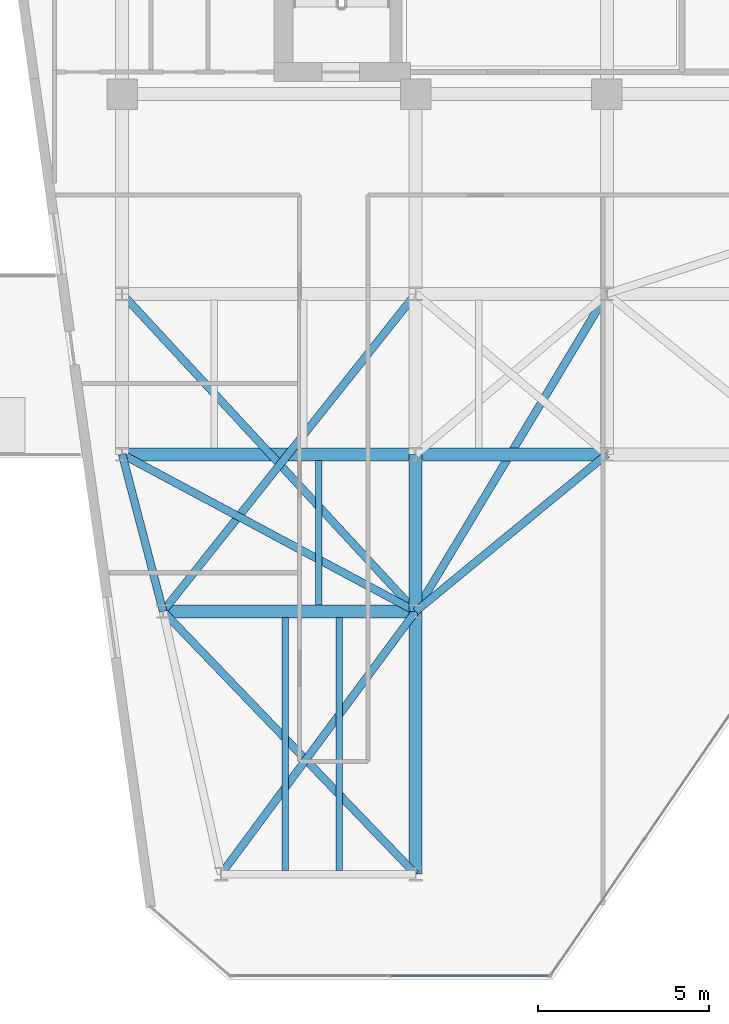
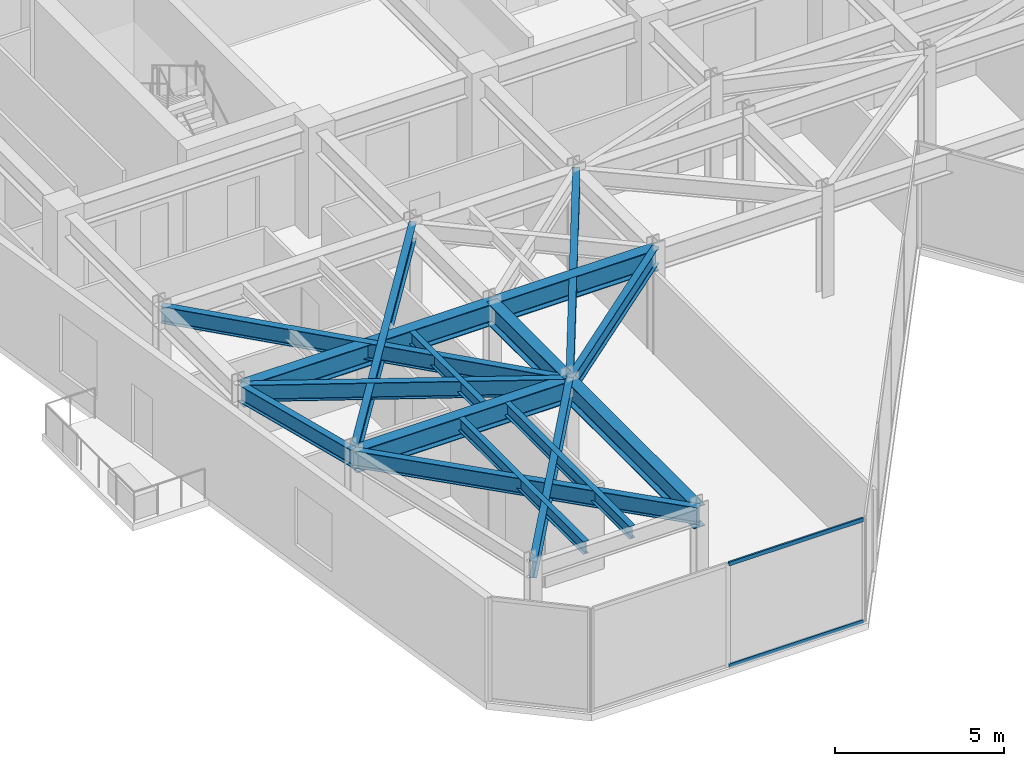
# One storey, part 3 of 21: 16 beams, 2 members, 1 element without a shape of its own.
"""IFC4 building model written with IfcOpenShell, lengths in metres."""

from ifc_helpers import new_model, si_unit, direction, frame, origin, origin_2d, place, context, subcontext, project, spatial, hollow_rectangle, i_section, extrude, material, layer, layer_set, material_profile, profile_set, type_object, element, aggregate, save


model = new_model("IFC4")

# Units and contexts
model_context = context("Model", 3, precision=1e-05, world=origin(), true_north=direction((0.0, 1.0)))
body_context = subcontext(model_context, "Body", "Model", "MODEL_VIEW")
ifc_project = project(units=[si_unit("LENGTHUNIT", "METRE"), si_unit("AREAUNIT", "SQUARE_METRE"), si_unit("VOLUMEUNIT", "CUBIC_METRE"), si_unit("PLANEANGLEUNIT", "RADIAN"), si_unit("MASSUNIT", "GRAM", prefix="KILO")], contexts=[model_context])

# Site, building, storey
site_placement = place(None, origin())
site = spatial("IfcSite", under=ifc_project, at=site_placement, CompositionType="ELEMENT")
building_placement = place(site_placement, origin())
building = spatial("IfcBuilding", under=site, at=building_placement, Name="Kravanh Interchange Tower", CompositionType="ELEMENT")
storey_placement = place(building_placement, frame((0.0, 0.0, 216.5)))
storey = spatial("IfcBuildingStorey", under=building, at=storey_placement, Name="L52", CompositionType="ELEMENT", Elevation=216.5)

# Curtain wall, members
ifc_material_1 = material(Name="Anodised Bronze Aluminium", Category="aluminium")
ifc_layer = layer(ifc_material_1, 0.179931640625)
ifc_layer_set = layer_set([ifc_layer], Name="Unitised Curtain Wall System CW-Z3 Upper Office")
curtain_wall_type = type_object("IfcCurtainWallType", Name="Unitised Curtain Wall System CW-Z3 Upper Office", PredefinedType="NOTDEFINED", material=ifc_layer_set)
curtain_wall_placement = place(storey_placement, origin())
curtain_wall = element("IfcCurtainWall", 1, at=curtain_wall_placement, inside=storey, type_object=curtain_wall_type, Name="L52 Unitised Curtain Wall CW-L52-05", PredefinedType="NOTDEFINED")
ifc_material_2 = material(Name="Anodised Bronze Aluminium", Category="aluminium")
ifc_material_profile_1 = material_profile(ifc_material_2, hollow_rectangle(XDim=0.06005859375, YDim=0.139892578125, WallThickness=0.00390625, at=origin_2d()), Name="ALU60X140X4")
ifc_profile_set_1 = profile_set([ifc_material_profile_1], Name="Anodised Bronze Aluminium")
member_type = type_object("IfcMemberType", Name="Curtain Wall Transom ALU60X140X4 Bronze", PredefinedType="USERDEFINED", material=ifc_profile_set_1)
member_1_placement = place(storey_placement, frame((31.076904296875, 11.52001953125, 0.030029296875), z_axis=(-1.0, 0.0, 0.0), x_axis=(0.0, -1.0, 0.0)))
member_1 = element("IfcMember", 2, at=member_1_placement, type_object=member_type, Name="CW-Z3 transom 1.1", ObjectType="TRANSOM", PredefinedType="USERDEFINED", context=body_context, shape_type="SweptSolid", body=[
    extrude(hollow_rectangle(XDim=0.06005859375, YDim=0.139892578125, WallThickness=0.00390625, at=origin_2d()), origin(), (0.0, 0.0, 1.0), 4.598876953125),
])
member_2_placement = place(storey_placement, frame((31.076904296875, 11.52001953125, 3.715087890625), z_axis=(-1.0, 0.0, 0.0), x_axis=(0.0, -1.0, 0.0)))
member_2 = element("IfcMember", 3, at=member_2_placement, type_object=member_type, Name="CW-Z3 transom 1.2", ObjectType="TRANSOM", PredefinedType="USERDEFINED", context=body_context, shape_type="SweptSolid", body=[
    extrude(hollow_rectangle(XDim=0.06005859375, YDim=0.139892578125, WallThickness=0.00390625, at=origin_2d()), origin(), (0.0, 0.0, 1.0), 4.598876953125),
])
aggregate(curtain_wall, [member_1, member_2])

# Beams
ifc_material_3 = material(Name="Structural Steel S355", Category="steel")
ifc_material_profile_2 = material_profile(ifc_material_3, i_section(OverallWidth=0.381103515625, OverallDepth=0.77294921875, WebThickness=0.0166015625, FlangeThickness=0.027099609375, FilletRadius=0.02490234375, at=origin_2d()), Name="W30X173")
ifc_profile_set_2 = profile_set([ifc_material_profile_2], Name="Structural Steel S355")
beam_type_1 = type_object("IfcBeamType", Name="Floor Beam W30X173 Structural Steel S355", PredefinedType="BEAM", material=ifc_profile_set_2)
beam_1_placement = place(storey_placement, frame((18.60009765625, 26.800048828125, 3.3583984375), z_axis=(1.0, 0.0, 0.0), x_axis=(0.0, 1.0, 0.0)))
element("IfcBeam", 4, at=beam_1_placement, inside=storey, type_object=beam_type_1, Name="L52 Primary Floor Girder 35", PredefinedType="BEAM", context=body_context, shape_type="SweptSolid", body=[
    extrude(i_section(OverallWidth=0.381103515625, OverallDepth=0.77294921875, WebThickness=0.0166015625, FlangeThickness=0.027099609375, FilletRadius=0.02490234375, at=origin_2d()), origin(), (0.0, 0.0, 1.0), 8.599853515625),
])
beam_2_placement = place(storey_placement, frame((27.199951171875, 26.800048828125, 3.3583984375), z_axis=(0.0, -1.0, 0.0), x_axis=(1.0, 0.0, 0.0)))
element("IfcBeam", 5, at=beam_2_placement, inside=storey, type_object=beam_type_1, Name="L52 Primary Floor Girder 37", PredefinedType="BEAM", context=body_context, shape_type="SweptSolid", body=[
    extrude(i_section(OverallWidth=0.381103515625, OverallDepth=0.77294921875, WebThickness=0.0166015625, FlangeThickness=0.027099609375, FilletRadius=0.02490234375, at=origin_2d()), origin(), (0.0, 0.0, 1.0), 4.60009765625),
])
beam_3_placement = place(storey_placement, frame((27.199951171875, 26.800048828125, 3.3583984375), z_axis=(1.0, 0.0, 0.0), x_axis=(0.0, 1.0, 0.0)))
element("IfcBeam", 6, at=beam_3_placement, inside=storey, type_object=beam_type_1, Name="L52 Primary Floor Girder 39", PredefinedType="BEAM", context=body_context, shape_type="SweptSolid", body=[
    extrude(i_section(OverallWidth=0.381103515625, OverallDepth=0.77294921875, WebThickness=0.0166015625, FlangeThickness=0.027099609375, FilletRadius=0.02490234375, at=origin_2d()), origin(), (0.0, 0.0, 1.0), 5.60009765625),
])
beam_4_placement = place(storey_placement, frame((27.199951171875, 14.5, 3.3583984375), z_axis=(0.0, 1.0, 0.0), x_axis=(-1.0, 0.0, 0.0)))
element("IfcBeam", 7, at=beam_4_placement, inside=storey, type_object=beam_type_1, Name="L52 Primary Floor Girder 70", PredefinedType="BEAM", context=body_context, shape_type="SweptSolid", body=[
    extrude(i_section(OverallWidth=0.381103515625, OverallDepth=0.77294921875, WebThickness=0.0166015625, FlangeThickness=0.027099609375, FilletRadius=0.02490234375, at=origin_2d()), origin(), (0.0, 0.0, 1.0), 7.699951171875),
])
beam_5_placement = place(storey_placement, frame((19.800048828125, 22.199951171875, 3.3583984375), z_axis=(1.0, 0.0, 0.0), x_axis=(0.0, 1.0, 0.0)))
element("IfcBeam", 8, at=beam_5_placement, inside=storey, type_object=beam_type_1, Name="L52 Primary Floor Girder 91", PredefinedType="BEAM", context=body_context, shape_type="SweptSolid", body=[
    extrude(i_section(OverallWidth=0.381103515625, OverallDepth=0.77294921875, WebThickness=0.0166015625, FlangeThickness=0.027099609375, FilletRadius=0.02490234375, at=origin_2d()), origin(), (0.0, 0.0, 1.0), 7.39990234375),
])
ifc_material_4 = material(Name="Structural Steel S355", Category="steel")
ifc_material_profile_3 = material_profile(ifc_material_4, i_section(OverallWidth=0.18994140625, OverallDepth=0.45703125, WebThickness=0.009033203125, FlangeThickness=0.014404296875, FilletRadius=0.01806640625, at=origin_2d()), Name="W18X50")
ifc_profile_set_3 = profile_set([ifc_material_profile_3], Name="Structural Steel S355")
beam_type_2 = type_object("IfcBeamType", Name="Floor Joist W18X50 Structural Steel S355", PredefinedType="JOIST", material=ifc_profile_set_3)
for number, where, z_axis, x_axis, name in (
    (9, (23.382080078125, 14.60888671875, 3.5166015625), (0.0, 1.0, 0.0), (-1.0, 0.0, 0.0), "L52 Secondary Floor Joist 1"),
    (10, (24.966064453125, 14.60888671875, 3.5166015625), (0.0, 1.0, 0.0), (-1.0, 0.0, 0.0), "L52 Secondary Floor Joist 2"),
):
    element("IfcBeam", number, at=place(storey_placement, frame(where, z_axis=z_axis, x_axis=x_axis)), inside=storey, type_object=beam_type_2, Name=name, PredefinedType="JOIST", context=body_context, shape_type="SweptSolid", body=[
        extrude(i_section(OverallWidth=0.18994140625, OverallDepth=0.45703125, WebThickness=0.009033203125, FlangeThickness=0.014404296875, FilletRadius=0.01806640625, at=origin_2d()), origin(), (0.0, 0.0, 1.0), 7.405517578125),
    ])
beam_6_placement = place(storey_placement, frame((24.35400390625, 22.385498046875, 3.5166015625), z_axis=(0.0, 1.0, 0.0), x_axis=(-1.0, 0.0, 0.0)))
element("IfcBeam", 11, at=beam_6_placement, inside=storey, type_object=beam_type_2, Name="L52 Secondary Floor Joist 6", PredefinedType="JOIST", context=body_context, shape_type="SweptSolid", body=[
    extrude(i_section(OverallWidth=0.18994140625, OverallDepth=0.45703125, WebThickness=0.009033203125, FlangeThickness=0.014404296875, FilletRadius=0.01806640625, at=origin_2d()), origin(), (0.0, 0.0, 1.0), 4.22900390625),
])
ifc_material_5 = material(Name="Structural Steel S355", Category="steel")
ifc_material_profile_4 = material_profile(ifc_material_5, i_section(OverallWidth=0.22802734375, OverallDepth=0.60791015625, WebThickness=0.01123046875, FlangeThickness=0.017333984375, FilletRadius=0.02197265625, at=origin_2d()), Name="W24X76")
ifc_profile_set_4 = profile_set([ifc_material_profile_4], Name="Structural Steel S355")
beam_type_3 = type_object("IfcBeamType", Name="Floor Spandrel W24X76 Structural Steel S355", PredefinedType="SPANDREL", material=ifc_profile_set_4)
beam_7_placement = place(storey_placement, frame((21.5, 14.5, 3.44091796875), z_axis=(0.59497703726, 0.803742698339, 0.0), x_axis=(-0.803742698339, 0.59497703726, 0.0)))
element("IfcBeam", 12, at=beam_7_placement, inside=storey, type_object=beam_type_3, Name="L52 Perimeter Spandrel 32", PredefinedType="SPANDREL", context=body_context, shape_type="SweptSolid", body=[
    extrude(i_section(OverallWidth=0.22802734375, OverallDepth=0.60791015625, WebThickness=0.01123046875, FlangeThickness=0.017333984375, FilletRadius=0.02197265625, at=origin_2d()), origin(), (0.0, 0.0, 1.0), 9.580078125),
])
beam_8_placement = place(storey_placement, frame((18.60009765625, 26.800048828125, 3.44091796875), z_axis=(0.252407263364, -0.967621089787, 0.0), x_axis=(0.967621089787, 0.252407263364, 0.0)))
element("IfcBeam", 13, at=beam_8_placement, inside=storey, type_object=beam_type_3, Name="L52 Perimeter Spandrel 34", PredefinedType="SPANDREL", context=body_context, shape_type="SweptSolid", body=[
    extrude(i_section(OverallWidth=0.22802734375, OverallDepth=0.60791015625, WebThickness=0.01123046875, FlangeThickness=0.017333984375, FilletRadius=0.02197265625, at=origin_2d()), origin(), (0.0, 0.0, 1.0), 4.75390625),
])
beam_9_placement = place(storey_placement, frame((18.60009765625, 26.800048828125, 3.44091796875), z_axis=(0.881777136221, -0.471666282489, 0.0), x_axis=(0.471666282489, 0.881777136221, 0.0)))
element("IfcBeam", 14, at=beam_9_placement, inside=storey, type_object=beam_type_3, Name="L52 Perimeter Spandrel 36", PredefinedType="SPANDREL", context=body_context, shape_type="SweptSolid", body=[
    extrude(i_section(OverallWidth=0.22802734375, OverallDepth=0.60791015625, WebThickness=0.01123046875, FlangeThickness=0.017333984375, FilletRadius=0.02197265625, at=origin_2d()), origin(), (0.0, 0.0, 1.0), 9.7529296875),
])
beam_10_placement = place(storey_placement, frame((32.800048828125, 26.800048828125, 3.44091796875), z_axis=(-0.772725074305, -0.634740860147, 0.0), x_axis=(0.634740860147, -0.772725074305, 0.0)))
element("IfcBeam", 15, at=beam_10_placement, inside=storey, type_object=beam_type_3, Name="L52 Perimeter Spandrel 43", PredefinedType="SPANDREL", context=body_context, shape_type="SweptSolid", body=[
    extrude(i_section(OverallWidth=0.22802734375, OverallDepth=0.60791015625, WebThickness=0.01123046875, FlangeThickness=0.017333984375, FilletRadius=0.02197265625, at=origin_2d()), origin(), (0.0, 0.0, 1.0), 7.247314453125),
])
beam_11_placement = place(storey_placement, frame((18.60009765625, 31.5, 3.44091796875), z_axis=(0.678927458783, -0.734205356634, 0.0), x_axis=(0.734205356634, 0.678927458783, 0.0)))
element("IfcBeam", 16, at=beam_11_placement, inside=storey, type_object=beam_type_3, Name="L52 Perimeter Spandrel 63", PredefinedType="SPANDREL", context=body_context, shape_type="SweptSolid", body=[
    extrude(i_section(OverallWidth=0.22802734375, OverallDepth=0.60791015625, WebThickness=0.01123046875, FlangeThickness=0.017333984375, FilletRadius=0.02197265625, at=origin_2d()), origin(), (0.0, 0.0, 1.0), 12.666748046875),
])
beam_12_placement = place(storey_placement, frame((27.199951171875, 31.5, 3.44091796875), z_axis=(-0.622633646541, -0.782513477324, 0.0), x_axis=(0.782513477324, -0.622633646541, 0.0)))
element("IfcBeam", 17, at=beam_12_placement, inside=storey, type_object=beam_type_3, Name="L52 Perimeter Spandrel 66", PredefinedType="SPANDREL", context=body_context, shape_type="SweptSolid", body=[
    extrude(i_section(OverallWidth=0.22802734375, OverallDepth=0.60791015625, WebThickness=0.01123046875, FlangeThickness=0.017333984375, FilletRadius=0.02197265625, at=origin_2d()), origin(), (0.0, 0.0, 1.0), 11.884765625),
])
beam_13_placement = place(storey_placement, frame((32.800048828125, 31.5, 3.44091796875), z_axis=(-0.515854375109, -0.856676288735, 0.0), x_axis=(0.856676288735, -0.515854375109, 0.0)))
element("IfcBeam", 18, at=beam_13_placement, inside=storey, type_object=beam_type_3, Name="L52 Perimeter Spandrel 69", PredefinedType="SPANDREL", context=body_context, shape_type="SweptSolid", body=[
    extrude(i_section(OverallWidth=0.22802734375, OverallDepth=0.60791015625, WebThickness=0.01123046875, FlangeThickness=0.017333984375, FilletRadius=0.02197265625, at=origin_2d()), origin(), (0.0, 0.0, 1.0), 10.85595703125),
])
beam_14_placement = place(storey_placement, frame((27.199951171875, 14.5, 3.44091796875), z_axis=(-0.692919091225, 0.721015348669, 0.0), x_axis=(-0.721015348669, -0.692919091225, 0.0)))
element("IfcBeam", 19, at=beam_14_placement, inside=storey, type_object=beam_type_3, Name="L52 Perimeter Spandrel 71", PredefinedType="SPANDREL", context=body_context, shape_type="SweptSolid", body=[
    extrude(i_section(OverallWidth=0.22802734375, OverallDepth=0.60791015625, WebThickness=0.01123046875, FlangeThickness=0.017333984375, FilletRadius=0.02197265625, at=origin_2d()), origin(), (0.0, 0.0, 1.0), 10.67919921875),
])

save(model, "model.ifc")
